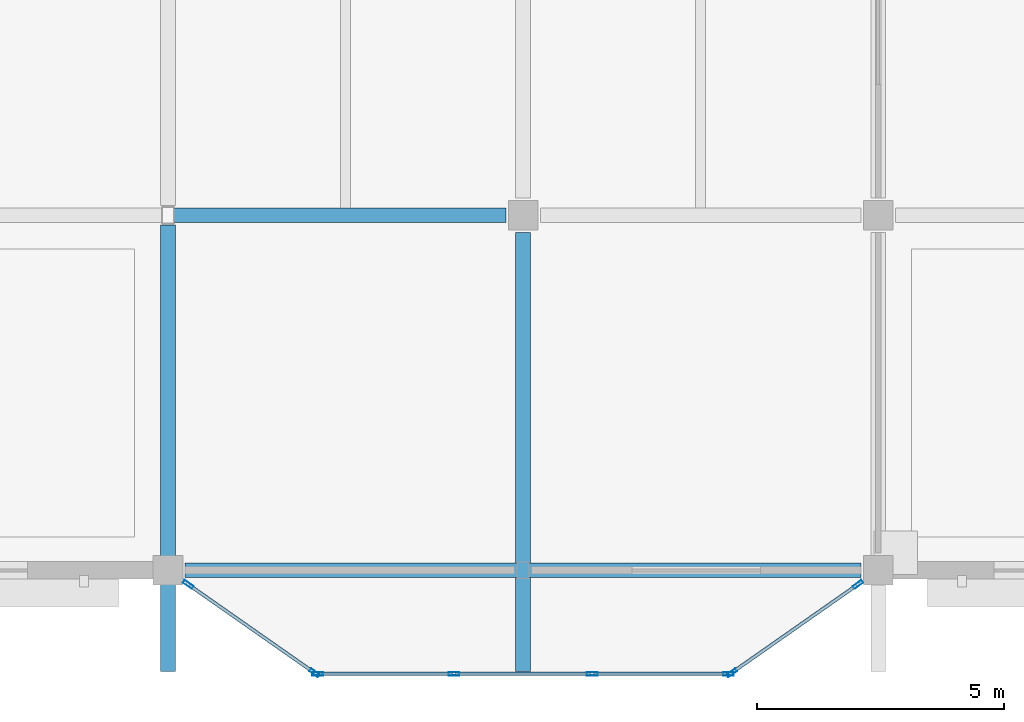
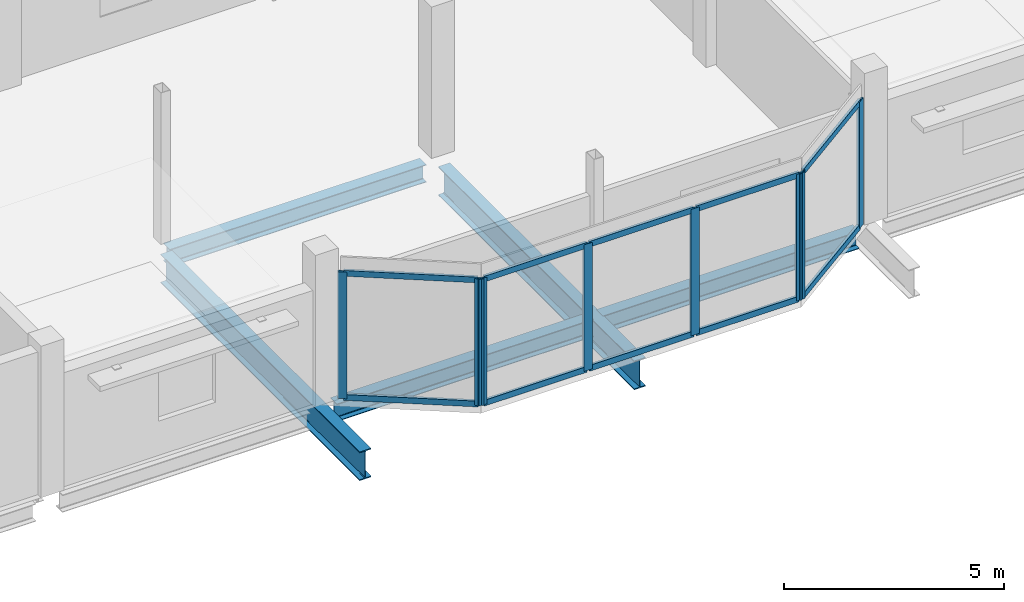
# One storey, part 25 of 51: 18 members, 5 beams, 3 elements without a shape of their own.
"""IFC4 building model written with IfcOpenShell, lengths in metres."""

import ifcopenshell
import ifcopenshell.guid

model = None  # the IFC model being written
_history = None  # IfcOwnerHistory: only IFC2X3 demands one
_inside = {}  # id of a spatial element -> (the spatial element, [elements in it])
_under = {}  # id of a project, library or spatial element -> (it, [spatial elements below it])
_declared = {}  # id of a project -> (the project, [libraries it declares])
_typed = {}  # id of a type object -> (the type object, [elements of that type])
_made_of = {}  # id of a material, layer set ... -> (it, [elements and type objects made of it])


def new_model(schema):
    """Start an empty IFC model of exactly this schema.

    Asked for "IFC4X3", IfcOpenShell would pick the latest addendum, in which some entities
    have other attributes; the version numbers below select the first issue.
    IFC2X3 requires an IfcOwnerHistory on every rooted entity: one is made here for all.
    """
    global model, _history
    if schema == "IFC4X3":
        model = ifcopenshell.file(schema_version=(4, 3, 0, 0))
    else:
        model = ifcopenshell.file(schema=schema)
    _inside.clear()
    _under.clear()
    _declared.clear()
    _typed.clear()
    _made_of.clear()
    _history = None
    if model.schema == "IFC2X3":
        org = make("IfcOrganization", Name="unknown")
        user = make(
            "IfcPersonAndOrganization",
            ThePerson=make("IfcPerson", FamilyName="unknown"),
            TheOrganization=org,
        )
        app = make(
            "IfcApplication",
            ApplicationDeveloper=org,
            Version="unknown",
            ApplicationFullName="unknown",
            ApplicationIdentifier="unknown",
        )
        _history = make(
            "IfcOwnerHistory",
            OwningUser=user,
            OwningApplication=app,
            ChangeAction="ADDED",
            CreationDate=0,
        )
    return model


def make(cls, **values):
    """One entity of the class cls with the attributes given. An attribute that is None is left unset."""
    return model.create_entity(
        cls, **{name: value for name, value in values.items() if value is not None}
    )


def rooted(cls, **values):
    """An entity with a GlobalId (a new one), such as an element, a storey or a relation."""
    return make(cls, GlobalId=ifcopenshell.guid.new(), OwnerHistory=_history, **values)


def si_unit(unit_type, name, prefix=None):
    """IfcSIUnit, for example si_unit("LENGTHUNIT", "METRE", prefix="MILLI")."""
    return make("IfcSIUnit", UnitType=unit_type, Prefix=prefix, Name=name)


def assignment(units):
    """IfcUnitAssignment: the units of a project."""
    return None if units is None else make("IfcUnitAssignment", Units=units)


def point(xyz):
    """IfcCartesianPoint."""
    return None if xyz is None else make("IfcCartesianPoint", Coordinates=xyz)


def direction(xyz):
    """IfcDirection."""
    return None if xyz is None else make("IfcDirection", DirectionRatios=xyz)


def frame(location, z_axis=None, x_axis=None):
    """IfcAxis2Placement3D, a coordinate frame: its origin and axes. An axis left out is left unset."""
    return make(
        "IfcAxis2Placement3D",
        Location=point(location),
        Axis=direction(z_axis),
        RefDirection=direction(x_axis),
    )


def frame_2d(location, x_axis=None):
    """IfcAxis2Placement2D, a coordinate frame in the plane: its origin and x axis."""
    return make(
        "IfcAxis2Placement2D", Location=point(location), RefDirection=direction(x_axis)
    )


def origin():
    """The frame at (0, 0, 0) with its axes left unset."""
    return frame((0.0, 0.0, 0.0))


def origin_2d():
    """The frame at (0, 0) in the plane with its x axis left unset."""
    return frame_2d((0.0, 0.0))


def place(relative_to, where):
    """IfcLocalPlacement: puts the frame where relative to a parent placement (None: the world)."""
    return make(
        "IfcLocalPlacement", PlacementRelTo=relative_to, RelativePlacement=where
    )


def context(
    kind, dimensions, precision=None, world=None, true_north=None, identifier=None
):
    """IfcGeometricRepresentationContext, for example the 3D "Model" context."""
    return make(
        "IfcGeometricRepresentationContext",
        ContextIdentifier=identifier,
        ContextType=kind,
        CoordinateSpaceDimension=dimensions,
        Precision=precision,
        WorldCoordinateSystem=world,
        TrueNorth=true_north,
    )


def subcontext(parent, identifier, kind, view, scale=None):
    """IfcGeometricRepresentationSubContext, for example "Body" below "Model"."""
    return make(
        "IfcGeometricRepresentationSubContext",
        ContextIdentifier=identifier,
        ContextType=kind,
        ParentContext=parent,
        TargetScale=scale,
        TargetView=view,
    )


def project(units=None, contexts=None):
    """IfcProject with its units and contexts."""
    return rooted(
        "IfcProject",
        Name="project",
        RepresentationContexts=contexts,
        UnitsInContext=assignment(units),
    )


def spatial(cls, under=None, at=None, **own):
    """A site, building, storey or space (cls), placed at a placement, below another one or the project."""
    s = rooted(cls, ObjectPlacement=at, **own)
    if under is not None:
        _under.setdefault(under.id(), (under, []))[1].append(s)
    return s


def profile(cls, at=None, kind="AREA", **sizes):
    """A parametric profile (cls). Its sizes go by their IFC names, for example OverallWidth=200.0."""
    return make(cls, ProfileType=kind, Position=at, **sizes)


def hollow_rectangle(**sizes):
    """IfcRectangleHollowProfileDef."""
    return profile("IfcRectangleHollowProfileDef", **sizes)


def i_section(**sizes):
    """IfcIShapeProfileDef."""
    return profile("IfcIShapeProfileDef", **sizes)


def extrude(swept, where, along, depth):
    """IfcExtrudedAreaSolid: the profile swept, set in the frame where, extruded along a direction by depth."""
    return make(
        "IfcExtrudedAreaSolid",
        SweptArea=swept,
        Position=where,
        ExtrudedDirection=direction(along),
        Depth=depth,
    )


def shape(context_of_items, identifier, shape_type, items):
    """IfcShapeRepresentation: the items that make up one representation, for example the "Body"."""
    return make(
        "IfcShapeRepresentation",
        ContextOfItems=context_of_items,
        RepresentationIdentifier=identifier,
        RepresentationType=shape_type,
        Items=items,
    )


def material(Name=None, Category=None):
    """IfcMaterial."""
    return make("IfcMaterial", Name=Name, Category=Category)


def material_profile(
    of_material, cross_section, Name=None, Category=None, Priority=None
):
    """IfcMaterialProfile: a cross section and its material."""
    return make(
        "IfcMaterialProfile",
        Name=Name,
        Material=of_material,
        Profile=cross_section,
        Priority=Priority,
        Category=Category,
    )


def profile_set(profiles, Name=None, composite=None):
    """IfcMaterialProfileSet."""
    return make(
        "IfcMaterialProfileSet",
        Name=Name,
        MaterialProfiles=profiles,
        CompositeProfile=composite,
    )


def made_of(thing, what):
    """Note that an element or type object is made of a material, layer set ...; save() writes the relation."""
    if what is not None:
        _made_of.setdefault(what.id(), (what, []))[1].append(thing)
    return thing


def type_object(cls, material=None, **own):
    """A type object (cls), such as IfcWallType, which elements share."""
    return made_of(rooted(cls, **own), material)


def element(
    cls,
    number,
    at=None,
    inside=None,
    cuts=None,
    type_object=None,
    material=None,
    context=None,
    identifier="Body",
    shape_type=None,
    held_by="IfcProductDefinitionShape",
    body=None,
    shapes=None,
    **own,
):
    """One element of the class cls, such as IfcWall. Its Tag is "e" and its number.

    at: its placement. inside: the storey or other place that contains it. cuts: it is an
    opening in that element (IfcRelVoidsElement). A single representation is given by context,
    identifier, shape_type and body (its items); several are given by shapes. held_by: the class
    of the entity that holds the representations. save() writes the other relations.
    """
    e = rooted(cls, Tag="e%d" % number, ObjectPlacement=at, **own)
    if body is not None:
        shapes = [shape(context, identifier, shape_type, body)]
    if shapes is not None:
        e.Representation = make(held_by, Representations=shapes)
    if inside is not None:
        _inside.setdefault(inside.id(), (inside, []))[1].append(e)
    if cuts is not None:
        rooted(
            "IfcRelVoidsElement", RelatingBuildingElement=cuts, RelatedOpeningElement=e
        )
    if type_object is not None:
        _typed.setdefault(type_object.id(), (type_object, []))[1].append(e)
    return made_of(e, material)


def aggregate(whole, parts):
    """IfcRelAggregates: a whole, such as a stair, and the parts it consists of."""
    return rooted("IfcRelAggregates", RelatingObject=whole, RelatedObjects=parts)


def save(model, path):
    """Write the relations noted so far, then the file.

    IfcRelAggregates (storeys below a building ...), IfcRelContainedInSpatialStructure (elements
    in a storey), IfcRelDefinesByType, IfcRelAssociatesMaterial and IfcRelDeclares: one each for
    every whole, place, type object, material and project.
    """
    for whole, parts in _under.values():
        aggregate(whole, parts)
    for where, things in _inside.values():
        rooted(
            "IfcRelContainedInSpatialStructure",
            RelatedElements=things,
            RelatingStructure=where,
        )
    for kind, things in _typed.values():
        rooted("IfcRelDefinesByType", RelatedObjects=things, RelatingType=kind)
    for what, things in _made_of.values():
        rooted("IfcRelAssociatesMaterial", RelatedObjects=things, RelatingMaterial=what)
    for by, libraries in _declared.values():
        rooted("IfcRelDeclares", RelatingContext=by, RelatedDefinitions=libraries)
    model.write(path)


model = new_model("IFC4")

# Units and contexts
model_context = context("Model", 3, precision=1e-05, world=origin(), true_north=direction((0.0, 1.0)))
body_context = subcontext(model_context, "Body", "Model", "MODEL_VIEW")
ifc_project = project(units=[si_unit("LENGTHUNIT", "METRE"), si_unit("AREAUNIT", "SQUARE_METRE"), si_unit("VOLUMEUNIT", "CUBIC_METRE"), si_unit("PLANEANGLEUNIT", "RADIAN"), si_unit("MASSUNIT", "GRAM", prefix="KILO")], contexts=[model_context])

# Site, building, storey
site_placement = place(None, origin())
site = spatial("IfcSite", under=ifc_project, at=site_placement, CompositionType="ELEMENT")
building_placement = place(site_placement, origin())
building = spatial("IfcBuilding", under=site, at=building_placement, Name="Vesperath Aquatics Centre", CompositionType="ELEMENT")
storey_placement = place(building_placement, frame((0.0, 0.0, 15.0)))
storey = spatial("IfcBuildingStorey", under=building, at=storey_placement, Name="L03", CompositionType="ELEMENT", Elevation=15.0)

# Beams
ifc_material_1 = material(Name="Steel Q355D", Category="steel")
ifc_material_profile_1 = material_profile(ifc_material_1, i_section(OverallWidth=0.300048828125, OverallDepth=0.800048828125, WebThickness=0.013916015625, FlangeThickness=0.02587890625, FilletRadius=0.028076171875, at=origin_2d()), Name="HN 800x300x14x26")
ifc_profile_set_1 = profile_set([ifc_material_profile_1], Name="Steel Q355D")
beam_type_1 = type_object("IfcBeamType", Name="BM-G07", PredefinedType="BEAM", material=ifc_profile_set_1)
beam_1_placement = place(storey_placement, frame((136.800048828125, -2.050048828125, -0.639892578125), z_axis=(0.0, 1.0, 0.0), x_axis=(-1.0, 0.0, 0.0)))
element("IfcBeam", 1, at=beam_1_placement, inside=storey, type_object=beam_type_1, Name="Floor Girder B07 L03 20 A-B", PredefinedType="BEAM", context=body_context, shape_type="SweptSolid", body=[
    extrude(i_section(OverallWidth=0.300048828125, OverallDepth=0.800048828125, WebThickness=0.013916015625, FlangeThickness=0.02587890625, FilletRadius=0.028076171875, at=origin_2d()), origin(), (0.0, 0.0, 1.0), 9.050048828125),
])
beam_2_placement = place(storey_placement, frame((144.0, -2.050048828125, -0.639892578125), z_axis=(0.0, 1.0, 0.0), x_axis=(-1.0, 0.0, 0.0)))
element("IfcBeam", 2, at=beam_2_placement, inside=storey, type_object=beam_type_1, Name="Floor Girder B07 L03 21 A-B", PredefinedType="BEAM", context=body_context, shape_type="SweptSolid", body=[
    extrude(i_section(OverallWidth=0.300048828125, OverallDepth=0.800048828125, WebThickness=0.013916015625, FlangeThickness=0.02587890625, FilletRadius=0.028076171875, at=origin_2d()), origin(), (0.0, 0.0, 1.0), 8.900146484375),
])
ifc_material_2 = material(Name="Steel Q355C", Category="steel")
ifc_material_profile_2 = material_profile(ifc_material_2, i_section(OverallWidth=0.300048828125, OverallDepth=0.488037109375, WebThickness=0.010986328125, FlangeThickness=0.01806640625, FilletRadius=0.02587890625, at=origin_2d()), Name="HM 488x300x11x18")
ifc_profile_set_2 = profile_set([ifc_material_profile_2], Name="Steel Q355C")
beam_type_2 = type_object("IfcBeamType", Name="BM-G10", PredefinedType="BEAM", material=ifc_profile_set_2)
beam_3_placement = place(storey_placement, frame((137.14990234375, 0.0, -0.48388671875), z_axis=(1.0, 0.0, 0.0), x_axis=(0.0, 1.0, 0.0)))
element("IfcBeam", 3, at=beam_3_placement, inside=storey, type_object=beam_type_2, Name="Floor Girder B10 L03 A 20-21", PredefinedType="BEAM", context=body_context, shape_type="SweptSolid", body=[
    extrude(i_section(OverallWidth=0.300048828125, OverallDepth=0.488037109375, WebThickness=0.010986328125, FlangeThickness=0.01806640625, FilletRadius=0.02587890625, at=origin_2d()), origin(), (0.0, 0.0, 1.0), 6.72509765625),
])
beam_4_placement = place(storey_placement, frame((136.925048828125, 7.199951171875, -0.48388671875), z_axis=(1.0, 0.0, 0.0), x_axis=(0.0, 1.0, 0.0)))
element("IfcBeam", 4, at=beam_4_placement, inside=storey, type_object=beam_type_2, Name="Floor Girder B10 L03 B 20-21", PredefinedType="BEAM", context=body_context, shape_type="SweptSolid", body=[
    extrude(i_section(OverallWidth=0.300048828125, OverallDepth=0.488037109375, WebThickness=0.010986328125, FlangeThickness=0.01806640625, FilletRadius=0.02587890625, at=origin_2d()), origin(), (0.0, 0.0, 1.0), 6.724853515625),
])
beam_5_placement = place(storey_placement, frame((144.125, 0.0, -0.48388671875), z_axis=(1.0, 0.0, 0.0), x_axis=(0.0, 1.0, 0.0)))
element("IfcBeam", 5, at=beam_5_placement, inside=storey, type_object=beam_type_2, Name="Floor Girder B10 L03 A 21-22", PredefinedType="BEAM", context=body_context, shape_type="SweptSolid", body=[
    extrude(i_section(OverallWidth=0.300048828125, OverallDepth=0.488037109375, WebThickness=0.010986328125, FlangeThickness=0.01806640625, FilletRadius=0.02587890625, at=origin_2d()), origin(), (0.0, 0.0, 1.0), 6.72509765625),
])

# Curtain wall, members
ifc_material_3 = material(Name="Thermally broken anodised bronze aluminium curtain wall", Category="aluminium")
curtain_wall_type = type_object("IfcCurtainWallType", Name="CW-03", PredefinedType="NOTDEFINED", material=ifc_material_3)
curtain_wall_1_placement = place(storey_placement, origin())
curtain_wall_1 = element("IfcCurtainWall", 6, at=curtain_wall_1_placement, inside=storey, type_object=curtain_wall_type, Name="South Boulevard Bow Oriel Curtain Wall L03-W", PredefinedType="NOTDEFINED")
ifc_material_4 = material(Name="Thermally broken anodised aluminium", Category="aluminium")
ifc_material_profile_3 = material_profile(ifc_material_4, hollow_rectangle(XDim=0.070068359375, YDim=0.219970703125, WallThickness=0.0048828125, at=origin_2d()), Name="CWM 70x220x5")
ifc_profile_set_3 = profile_set([ifc_material_profile_3], Name="Thermally broken anodised aluminium")
member_type_1 = type_object("IfcMemberType", Name="MB-CWM2", PredefinedType="MULLION", material=ifc_profile_set_3)
member_1_placement = place(storey_placement, frame((137.208740234375, -0.2861328125, 0.0), z_axis=(0.0, 0.0, 1.0), x_axis=(0.57346234437, 0.819231920515, 0.0)))
member_1 = element("IfcMember", 7, at=member_1_placement, type_object=member_type_1, Name="CW03 mullion 1", PredefinedType="MULLION", context=body_context, shape_type="SweptSolid", body=[
    extrude(hollow_rectangle(XDim=0.070068359375, YDim=0.219970703125, WallThickness=0.0048828125, at=origin_2d()), origin(), (0.0, 0.0, 1.0), 3.510009765625),
])
member_2_placement = place(storey_placement, frame((139.771240234375, -2.079833984375, 0.0), z_axis=(0.0, 0.0, 1.0), x_axis=(0.57346234437, 0.819231920515, 0.0)))
member_2 = element("IfcMember", 8, at=member_2_placement, type_object=member_type_1, Name="CW03 mullion 2", PredefinedType="MULLION", context=body_context, shape_type="SweptSolid", body=[
    extrude(hollow_rectangle(XDim=0.070068359375, YDim=0.219970703125, WallThickness=0.0048828125, at=origin_2d()), origin(), (0.0, 0.0, 1.0), 3.510009765625),
])

curtain_wall_2_placement = place(storey_placement, origin())
curtain_wall_2 = element("IfcCurtainWall", 9, at=curtain_wall_2_placement, inside=storey, type_object=curtain_wall_type, Name="South Boulevard Bow Oriel Curtain Wall L03-C", PredefinedType="NOTDEFINED")
member_3_placement = place(storey_placement, frame((139.8349609375, -2.10009765625, 0.0), z_axis=(0.0, 0.0, 1.0), x_axis=(0.0, 1.0, 0.0)))
member_3 = element("IfcMember", 10, at=member_3_placement, type_object=member_type_1, Name="CW03 mullion 1", PredefinedType="MULLION", context=body_context, shape_type="SweptSolid", body=[
    extrude(hollow_rectangle(XDim=0.070068359375, YDim=0.219970703125, WallThickness=0.0048828125, at=origin_2d()), origin(), (0.0, 0.0, 1.0), 3.510009765625),
])
member_4_placement = place(storey_placement, frame((142.60009765625, -2.10009765625, 0.0), z_axis=(0.0, 0.0, 1.0), x_axis=(0.0, 1.0, 0.0)))
member_4 = element("IfcMember", 11, at=member_4_placement, type_object=member_type_1, Name="CW03 mullion 2", PredefinedType="MULLION", context=body_context, shape_type="SweptSolid", body=[
    extrude(hollow_rectangle(XDim=0.070068359375, YDim=0.219970703125, WallThickness=0.0048828125, at=origin_2d()), origin(), (0.0, 0.0, 1.0), 3.510009765625),
])
member_5_placement = place(storey_placement, frame((145.39990234375, -2.10009765625, 0.0), z_axis=(0.0, 0.0, 1.0), x_axis=(0.0, 1.0, 0.0)))
member_5 = element("IfcMember", 12, at=member_5_placement, type_object=member_type_1, Name="CW03 mullion 3", PredefinedType="MULLION", context=body_context, shape_type="SweptSolid", body=[
    extrude(hollow_rectangle(XDim=0.070068359375, YDim=0.219970703125, WallThickness=0.0048828125, at=origin_2d()), origin(), (0.0, 0.0, 1.0), 3.510009765625),
])
member_6_placement = place(storey_placement, frame((148.1650390625, -2.10009765625, 0.0), z_axis=(0.0, 0.0, 1.0), x_axis=(0.0, 1.0, 0.0)))
member_6 = element("IfcMember", 13, at=member_6_placement, type_object=member_type_1, Name="CW03 mullion 4", PredefinedType="MULLION", context=body_context, shape_type="SweptSolid", body=[
    extrude(hollow_rectangle(XDim=0.070068359375, YDim=0.219970703125, WallThickness=0.0048828125, at=origin_2d()), origin(), (0.0, 0.0, 1.0), 3.510009765625),
])

curtain_wall_3_placement = place(storey_placement, origin())
curtain_wall_3 = element("IfcCurtainWall", 14, at=curtain_wall_3_placement, inside=storey, type_object=curtain_wall_type, Name="South Boulevard Bow Oriel Curtain Wall L03-E", PredefinedType="NOTDEFINED")
member_7_placement = place(storey_placement, frame((148.228759765625, -2.079833984375, 0.0), z_axis=(0.0, 0.0, 1.0), x_axis=(-0.57346234437, 0.819231920515, 0.0)))
member_7 = element("IfcMember", 15, at=member_7_placement, type_object=member_type_1, Name="CW03 mullion 1", PredefinedType="MULLION", context=body_context, shape_type="SweptSolid", body=[
    extrude(hollow_rectangle(XDim=0.070068359375, YDim=0.219970703125, WallThickness=0.0048828125, at=origin_2d()), origin(), (0.0, 0.0, 1.0), 3.510009765625),
])
member_8_placement = place(storey_placement, frame((150.791259765625, -0.2861328125, 0.0), z_axis=(0.0, 0.0, 1.0), x_axis=(-0.57346234437, 0.819231920515, 0.0)))
member_8 = element("IfcMember", 16, at=member_8_placement, type_object=member_type_1, Name="CW03 mullion 2", PredefinedType="MULLION", context=body_context, shape_type="SweptSolid", body=[
    extrude(hollow_rectangle(XDim=0.070068359375, YDim=0.219970703125, WallThickness=0.0048828125, at=origin_2d()), origin(), (0.0, 0.0, 1.0), 3.510009765625),
])

# Member
ifc_material_profile_4 = material_profile(ifc_material_4, hollow_rectangle(XDim=0.070068359375, YDim=0.159912109375, WallThickness=0.0048828125, at=origin_2d()), Name="CWT 70x160x5")
ifc_profile_set_4 = profile_set([ifc_material_profile_4], Name="Thermally broken anodised aluminium")
member_type_2 = type_object("IfcMemberType", Name="MB-CWT2", PredefinedType="USERDEFINED", material=ifc_profile_set_4)
member_9_placement = place(storey_placement, frame((137.2373046875, -0.30615234375, 0.034912109375), z_axis=(0.819246922426, -0.573440912472, 0.0), x_axis=(0.573440912472, 0.819246922426, 0.0)))
member_9 = element("IfcMember", 17, at=member_9_placement, type_object=member_type_2, Name="CW03 transom 1.1", ObjectType="TRANSOM", PredefinedType="USERDEFINED", context=body_context, shape_type="SweptSolid", body=[
    extrude(hollow_rectangle(XDim=0.070068359375, YDim=0.159912109375, WallThickness=0.0048828125, at=origin_2d()), origin(), (0.0, 0.0, 1.0), 3.05810546875),
])

member_10_placement = place(storey_placement, frame((137.2373046875, -0.30615234375, 3.47509765625), z_axis=(0.819246922426, -0.573440912472, 0.0), x_axis=(0.573440912472, 0.819246922426, 0.0)))
member_10 = element("IfcMember", 18, at=member_10_placement, type_object=member_type_2, Name="CW03 transom 1.2", ObjectType="TRANSOM", PredefinedType="USERDEFINED", context=body_context, shape_type="SweptSolid", body=[
    extrude(hollow_rectangle(XDim=0.070068359375, YDim=0.159912109375, WallThickness=0.0048828125, at=origin_2d()), origin(), (0.0, 0.0, 1.0), 3.05810546875),
])

aggregate(curtain_wall_1, [member_1, member_2, member_9, member_10])

member_11_placement = place(storey_placement, frame((139.8701171875, -2.10009765625, 0.034912109375), z_axis=(1.0, 0.0, 0.0), x_axis=(0.0, 1.0, 0.0)))
member_11 = element("IfcMember", 19, at=member_11_placement, type_object=member_type_2, Name="CW03 transom 1.1", ObjectType="TRANSOM", PredefinedType="USERDEFINED", context=body_context, shape_type="SweptSolid", body=[
    extrude(hollow_rectangle(XDim=0.070068359375, YDim=0.159912109375, WallThickness=0.0048828125, at=origin_2d()), origin(), (0.0, 0.0, 1.0), 2.69482421875),
])

member_12_placement = place(storey_placement, frame((139.8701171875, -2.10009765625, 3.47509765625), z_axis=(1.0, 0.0, 0.0), x_axis=(0.0, 1.0, 0.0)))
member_12 = element("IfcMember", 20, at=member_12_placement, type_object=member_type_2, Name="CW03 transom 1.2", ObjectType="TRANSOM", PredefinedType="USERDEFINED", context=body_context, shape_type="SweptSolid", body=[
    extrude(hollow_rectangle(XDim=0.070068359375, YDim=0.159912109375, WallThickness=0.0048828125, at=origin_2d()), origin(), (0.0, 0.0, 1.0), 2.69482421875),
])

member_13_placement = place(storey_placement, frame((142.635009765625, -2.10009765625, 0.034912109375), z_axis=(1.0, 0.0, 0.0), x_axis=(0.0, 1.0, 0.0)))
member_13 = element("IfcMember", 21, at=member_13_placement, type_object=member_type_2, Name="CW03 transom 2.1", ObjectType="TRANSOM", PredefinedType="USERDEFINED", context=body_context, shape_type="SweptSolid", body=[
    extrude(hollow_rectangle(XDim=0.070068359375, YDim=0.159912109375, WallThickness=0.0048828125, at=origin_2d()), origin(), (0.0, 0.0, 1.0), 2.72998046875),
])

member_14_placement = place(storey_placement, frame((142.635009765625, -2.10009765625, 3.47509765625), z_axis=(1.0, 0.0, 0.0), x_axis=(0.0, 1.0, 0.0)))
member_14 = element("IfcMember", 22, at=member_14_placement, type_object=member_type_2, Name="CW03 transom 2.2", ObjectType="TRANSOM", PredefinedType="USERDEFINED", context=body_context, shape_type="SweptSolid", body=[
    extrude(hollow_rectangle(XDim=0.070068359375, YDim=0.159912109375, WallThickness=0.0048828125, at=origin_2d()), origin(), (0.0, 0.0, 1.0), 2.72998046875),
])

member_15_placement = place(storey_placement, frame((145.43505859375, -2.10009765625, 0.034912109375), z_axis=(1.0, 0.0, 0.0), x_axis=(0.0, 1.0, 0.0)))
member_15 = element("IfcMember", 23, at=member_15_placement, type_object=member_type_2, Name="CW03 transom 3.1", ObjectType="TRANSOM", PredefinedType="USERDEFINED", context=body_context, shape_type="SweptSolid", body=[
    extrude(hollow_rectangle(XDim=0.070068359375, YDim=0.159912109375, WallThickness=0.0048828125, at=origin_2d()), origin(), (0.0, 0.0, 1.0), 2.69482421875),
])

member_16_placement = place(storey_placement, frame((145.43505859375, -2.10009765625, 3.47509765625), z_axis=(1.0, 0.0, 0.0), x_axis=(0.0, 1.0, 0.0)))
member_16 = element("IfcMember", 24, at=member_16_placement, type_object=member_type_2, Name="CW03 transom 3.2", ObjectType="TRANSOM", PredefinedType="USERDEFINED", context=body_context, shape_type="SweptSolid", body=[
    extrude(hollow_rectangle(XDim=0.070068359375, YDim=0.159912109375, WallThickness=0.0048828125, at=origin_2d()), origin(), (0.0, 0.0, 1.0), 2.69482421875),
])

aggregate(curtain_wall_2, [member_3, member_4, member_5, member_6, member_11, member_12, member_13, member_14, member_15, member_16])

member_17_placement = place(storey_placement, frame((148.25732421875, -2.059814453125, 0.034912109375), z_axis=(0.819246922426, 0.573440912472, 0.0), x_axis=(-0.573440912472, 0.819246922426, 0.0)))
member_17 = element("IfcMember", 25, at=member_17_placement, type_object=member_type_2, Name="CW03 transom 1.1", ObjectType="TRANSOM", PredefinedType="USERDEFINED", context=body_context, shape_type="SweptSolid", body=[
    extrude(hollow_rectangle(XDim=0.070068359375, YDim=0.159912109375, WallThickness=0.0048828125, at=origin_2d()), origin(), (0.0, 0.0, 1.0), 3.05810546875),
])

member_18_placement = place(storey_placement, frame((148.25732421875, -2.059814453125, 3.47509765625), z_axis=(0.819246922426, 0.573440912472, 0.0), x_axis=(-0.573440912472, 0.819246922426, 0.0)))
member_18 = element("IfcMember", 26, at=member_18_placement, type_object=member_type_2, Name="CW03 transom 1.2", ObjectType="TRANSOM", PredefinedType="USERDEFINED", context=body_context, shape_type="SweptSolid", body=[
    extrude(hollow_rectangle(XDim=0.070068359375, YDim=0.159912109375, WallThickness=0.0048828125, at=origin_2d()), origin(), (0.0, 0.0, 1.0), 3.05810546875),
])

aggregate(curtain_wall_3, [member_7, member_8, member_17, member_18])

save(model, "model.ifc")
